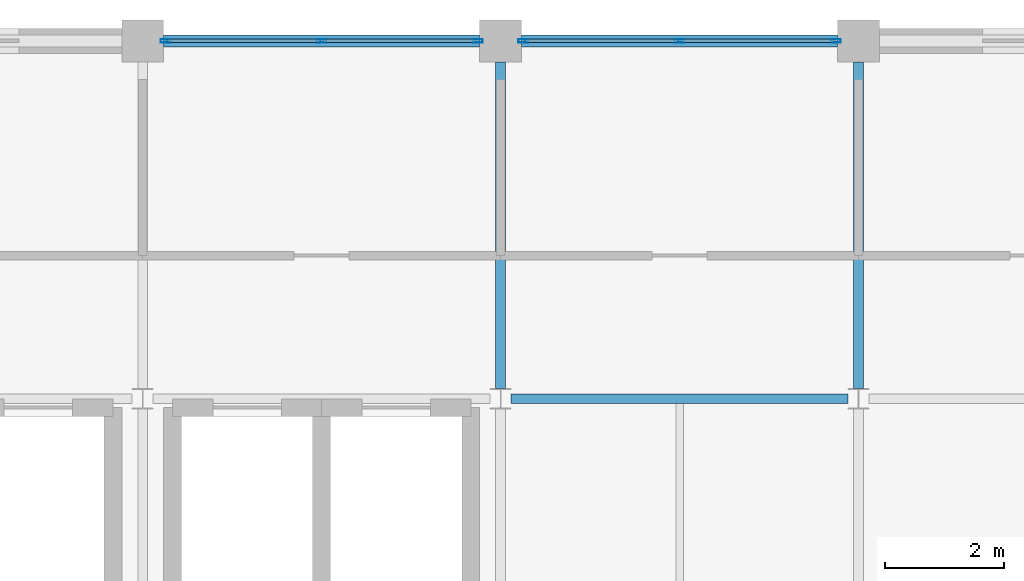
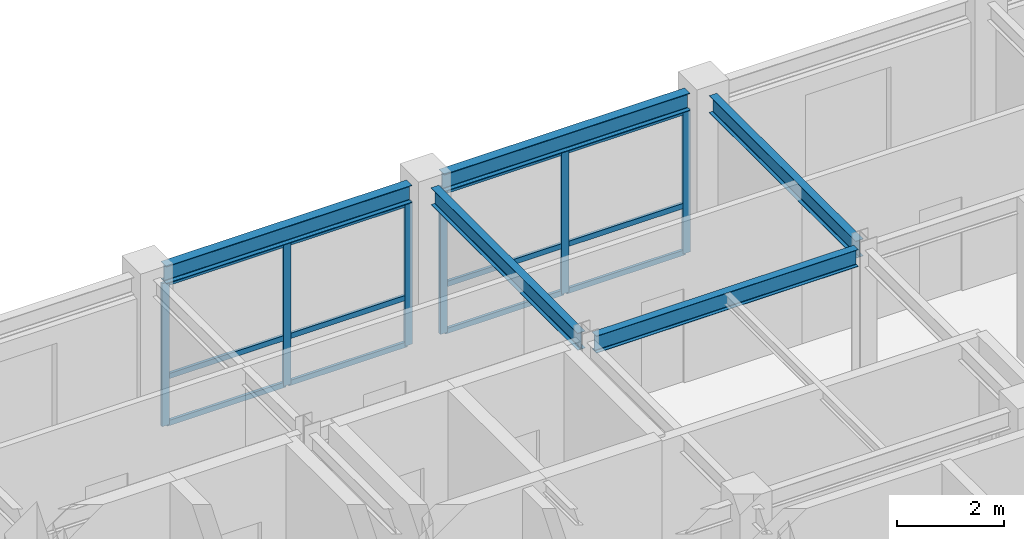
# One storey, part 7 of 13: 18 members, 5 beams, 2 elements without a shape of their own.
"""IFC4 building model written with IfcOpenShell, lengths in metres."""

from ifc_helpers import new_model, si_unit, direction, frame, origin, origin_2d, place, context, subcontext, project, spatial, hollow_rectangle, i_section, extrude, material, layer, layer_set, material_profile, profile_set, type_object, element, aggregate, save


model = new_model("IFC4")

# Units and contexts
model_context = context("Model", 3, precision=1e-05, world=origin(), true_north=direction((0.0, 1.0)))
body_context = subcontext(model_context, "Body", "Model", "MODEL_VIEW")
ifc_project = project(units=[si_unit("LENGTHUNIT", "METRE"), si_unit("AREAUNIT", "SQUARE_METRE"), si_unit("VOLUMEUNIT", "CUBIC_METRE"), si_unit("PLANEANGLEUNIT", "RADIAN"), si_unit("MASSUNIT", "GRAM", prefix="KILO")], contexts=[model_context])

# Site, building, storey
site_placement = place(None, origin())
site = spatial("IfcSite", under=ifc_project, at=site_placement, CompositionType="ELEMENT")
building_placement = place(site_placement, origin())
building = spatial("IfcBuilding", under=site, at=building_placement, Name="Zlatovratsky Civic Hall", CompositionType="ELEMENT")
storey_placement = place(building_placement, frame((0.0, 0.0, 48.300048828125)))
storey = spatial("IfcBuildingStorey", under=building, at=storey_placement, Name="L12", CompositionType="ELEMENT", Elevation=48.300048828125)

# Beams
ifc_material_1 = material(Name="Steel S355", Category="steel")
ifc_material_profile_1 = material_profile(ifc_material_1, i_section(OverallWidth=0.199951171875, OverallDepth=0.39990234375, WebThickness=0.008056640625, FlangeThickness=0.012939453125, FilletRadius=0.014892578125, at=origin_2d()), Name="40B2")
ifc_profile_set_1 = profile_set([ifc_material_profile_1], Name="Steel S355")
beam_type_1 = type_object("IfcBeamType", Name="Beam_Spandrel_40B2", PredefinedType="SPANDREL", material=ifc_profile_set_1)
for number, where, z_axis, x_axis, name in (
    (1, (78.35009765625, 102.0, 3.47998046875), (1.0, 0.0, 0.0), (0.0, 1.0, 0.0), "BM-4837"),
    (2, (84.35009765625, 102.0, 3.47998046875), (1.0, 0.0, 0.0), (0.0, 1.0, 0.0), "BM-4838"),
):
    element("IfcBeam", number, at=place(storey_placement, frame(where, z_axis=z_axis, x_axis=x_axis)), inside=storey, type_object=beam_type_1, Name=name, PredefinedType="SPANDREL", context=body_context, shape_type="SweptSolid", body=[
        extrude(i_section(OverallWidth=0.199951171875, OverallDepth=0.39990234375, WebThickness=0.008056640625, FlangeThickness=0.012939453125, FilletRadius=0.014892578125, at=origin_2d()), origin(), (0.0, 0.0, 1.0), 5.2998046875),
    ])
ifc_material_profile_2 = material_profile(ifc_material_1, i_section(OverallWidth=0.1650390625, OverallDepth=0.39208984375, WebThickness=0.006591796875, FlangeThickness=0.009521484375, FilletRadius=0.014892578125, at=origin_2d()), Name="40B1")
ifc_profile_set_2 = profile_set([ifc_material_profile_2], Name="Steel S355")
beam_type_2 = type_object("IfcBeamType", Name="Beam_Tie_40B1", PredefinedType="BEAM", material=ifc_profile_set_2)
beam_placement = place(storey_placement, frame((84.175048828125, 96.0, 3.48388671875), z_axis=(1.0, 0.0, 0.0), x_axis=(0.0, 1.0, 0.0)))
element("IfcBeam", 3, at=beam_placement, inside=storey, type_object=beam_type_2, Name="BM-4830", PredefinedType="BEAM", context=body_context, shape_type="SweptSolid", body=[
    extrude(i_section(OverallWidth=0.1650390625, OverallDepth=0.39208984375, WebThickness=0.006591796875, FlangeThickness=0.009521484375, FilletRadius=0.014892578125, at=origin_2d()), origin(), (0.0, 0.0, 1.0), 5.64990234375),
])
for number, where, z_axis, x_axis, name in (
    (4, (84.0, 96.17138671875, 3.48388671875), (0.0, 1.0, 0.0), (-1.0, 0.0, 0.0), "BM-4866"),
    (5, (90.0, 96.17138671875, 3.48388671875), (0.0, 1.0, 0.0), (-1.0, 0.0, 0.0), "BM-4871"),
):
    element("IfcBeam", number, at=place(storey_placement, frame(where, z_axis=z_axis, x_axis=x_axis)), inside=storey, type_object=beam_type_2, Name=name, PredefinedType="BEAM", context=body_context, shape_type="SweptSolid", body=[
        extrude(i_section(OverallWidth=0.1650390625, OverallDepth=0.39208984375, WebThickness=0.006591796875, FlangeThickness=0.009521484375, FilletRadius=0.014892578125, at=origin_2d()), origin(), (0.0, 0.0, 1.0), 5.478515625),
    ])

# Curtain wall, members
ifc_material_2 = material(Name="Anodised bronze aluminium", Category="aluminium")
ifc_layer = layer(ifc_material_2, 0.159912109375)
ifc_layer_set = layer_set([ifc_layer], Name="Anodised bronze aluminium")
curtain_wall_type = type_object("IfcCurtainWallType", Name="CurtainWall_Bronze_5300x3260_23", PredefinedType="NOTDEFINED", material=ifc_layer_set)
curtain_wall_1_placement = place(storey_placement, origin())
curtain_wall_1 = element("IfcCurtainWall", 6, at=curtain_wall_1_placement, inside=storey, type_object=curtain_wall_type, Name="CW-159", PredefinedType="NOTDEFINED")
ifc_material_profile_3 = material_profile(ifc_material_2, hollow_rectangle(XDim=0.06005859375, YDim=0.159912109375, WallThickness=0.00390625, at=origin_2d()), Name="ALU 60x160x4")
ifc_profile_set_3 = profile_set([ifc_material_profile_3], Name="Anodised bronze aluminium")
member_type_1 = type_object("IfcMemberType", Name="CW_Mullion_60x160", PredefinedType="MULLION", material=ifc_profile_set_3)
member_1_placement = place(storey_placement, frame((78.3798828125, 102.0, 0.0), z_axis=(0.0, 0.0, 1.0), x_axis=(0.0, 1.0, 0.0)))
member_1 = element("IfcMember", 7, at=member_1_placement, type_object=member_type_1, Name="CW-23 mullion 1", PredefinedType="MULLION", context=body_context, shape_type="SweptSolid", body=[
    extrude(hollow_rectangle(XDim=0.06005859375, YDim=0.159912109375, WallThickness=0.00390625, at=origin_2d()), origin(), (0.0, 0.0, 1.0), 3.260009765625),
])
member_2_placement = place(storey_placement, frame((81.0, 102.0, 0.0), z_axis=(0.0, 0.0, 1.0), x_axis=(0.0, 1.0, 0.0)))
member_2 = element("IfcMember", 8, at=member_2_placement, type_object=member_type_1, Name="CW-23 mullion 2", PredefinedType="MULLION", context=body_context, shape_type="SweptSolid", body=[
    extrude(hollow_rectangle(XDim=0.06005859375, YDim=0.159912109375, WallThickness=0.00390625, at=origin_2d()), origin(), (0.0, 0.0, 1.0), 3.260009765625),
])
member_3_placement = place(storey_placement, frame((83.6201171875, 102.0, 0.0), z_axis=(0.0, 0.0, 1.0), x_axis=(0.0, 1.0, 0.0)))
member_3 = element("IfcMember", 9, at=member_3_placement, type_object=member_type_1, Name="CW-23 mullion 3", PredefinedType="MULLION", context=body_context, shape_type="SweptSolid", body=[
    extrude(hollow_rectangle(XDim=0.06005859375, YDim=0.159912109375, WallThickness=0.00390625, at=origin_2d()), origin(), (0.0, 0.0, 1.0), 3.260009765625),
])

curtain_wall_2_placement = place(storey_placement, origin())
curtain_wall_2 = element("IfcCurtainWall", 10, at=curtain_wall_2_placement, inside=storey, type_object=curtain_wall_type, Name="CW-160", PredefinedType="NOTDEFINED")
member_4_placement = place(storey_placement, frame((84.3798828125, 102.0, 0.0), z_axis=(0.0, 0.0, 1.0), x_axis=(0.0, 1.0, 0.0)))
member_4 = element("IfcMember", 11, at=member_4_placement, type_object=member_type_1, Name="CW-23 mullion 1", PredefinedType="MULLION", context=body_context, shape_type="SweptSolid", body=[
    extrude(hollow_rectangle(XDim=0.06005859375, YDim=0.159912109375, WallThickness=0.00390625, at=origin_2d()), origin(), (0.0, 0.0, 1.0), 3.260009765625),
])
member_5_placement = place(storey_placement, frame((87.0, 102.0, 0.0), z_axis=(0.0, 0.0, 1.0), x_axis=(0.0, 1.0, 0.0)))
member_5 = element("IfcMember", 12, at=member_5_placement, type_object=member_type_1, Name="CW-23 mullion 2", PredefinedType="MULLION", context=body_context, shape_type="SweptSolid", body=[
    extrude(hollow_rectangle(XDim=0.06005859375, YDim=0.159912109375, WallThickness=0.00390625, at=origin_2d()), origin(), (0.0, 0.0, 1.0), 3.260009765625),
])
member_6_placement = place(storey_placement, frame((89.6201171875, 102.0, 0.0), z_axis=(0.0, 0.0, 1.0), x_axis=(0.0, 1.0, 0.0)))
member_6 = element("IfcMember", 13, at=member_6_placement, type_object=member_type_1, Name="CW-23 mullion 3", PredefinedType="MULLION", context=body_context, shape_type="SweptSolid", body=[
    extrude(hollow_rectangle(XDim=0.06005859375, YDim=0.159912109375, WallThickness=0.00390625, at=origin_2d()), origin(), (0.0, 0.0, 1.0), 3.260009765625),
])

# Member
ifc_material_profile_4 = material_profile(ifc_material_2, hollow_rectangle(XDim=0.06005859375, YDim=0.1201171875, WallThickness=0.00390625, at=origin_2d()), Name="ALU 60x120x4")
ifc_profile_set_4 = profile_set([ifc_material_profile_4], Name="Anodised bronze aluminium")
member_type_2 = type_object("IfcMemberType", Name="CW_Transom_60x120", PredefinedType="USERDEFINED", material=ifc_profile_set_4)
member_7_placement = place(storey_placement, frame((78.409912109375, 102.0, 0.030029296875), z_axis=(1.0, 0.0, 0.0), x_axis=(0.0, 1.0, 0.0)))
member_7 = element("IfcMember", 14, at=member_7_placement, type_object=member_type_2, Name="CW-23 transom 1.1", ObjectType="TRANSOM", PredefinedType="USERDEFINED", context=body_context, shape_type="SweptSolid", body=[
    extrude(hollow_rectangle(XDim=0.06005859375, YDim=0.1201171875, WallThickness=0.00390625, at=origin_2d()), origin(), (0.0, 0.0, 1.0), 2.56005859375),
])

member_8_placement = place(storey_placement, frame((78.409912109375, 102.0, 1.099853515625), z_axis=(1.0, 0.0, 0.0), x_axis=(0.0, 1.0, 0.0)))
member_8 = element("IfcMember", 15, at=member_8_placement, type_object=member_type_2, Name="CW-23 transom 1.2", ObjectType="TRANSOM", PredefinedType="USERDEFINED", context=body_context, shape_type="SweptSolid", body=[
    extrude(hollow_rectangle(XDim=0.06005859375, YDim=0.1201171875, WallThickness=0.00390625, at=origin_2d()), origin(), (0.0, 0.0, 1.0), 2.56005859375),
])

member_9_placement = place(storey_placement, frame((78.409912109375, 102.0, 3.22998046875), z_axis=(1.0, 0.0, 0.0), x_axis=(0.0, 1.0, 0.0)))
member_9 = element("IfcMember", 16, at=member_9_placement, type_object=member_type_2, Name="CW-23 transom 1.3", ObjectType="TRANSOM", PredefinedType="USERDEFINED", context=body_context, shape_type="SweptSolid", body=[
    extrude(hollow_rectangle(XDim=0.06005859375, YDim=0.1201171875, WallThickness=0.00390625, at=origin_2d()), origin(), (0.0, 0.0, 1.0), 2.56005859375),
])

member_10_placement = place(storey_placement, frame((81.030029296875, 102.0, 0.030029296875), z_axis=(1.0, 0.0, 0.0), x_axis=(0.0, 1.0, 0.0)))
member_10 = element("IfcMember", 17, at=member_10_placement, type_object=member_type_2, Name="CW-23 transom 2.1", ObjectType="TRANSOM", PredefinedType="USERDEFINED", context=body_context, shape_type="SweptSolid", body=[
    extrude(hollow_rectangle(XDim=0.06005859375, YDim=0.1201171875, WallThickness=0.00390625, at=origin_2d()), origin(), (0.0, 0.0, 1.0), 2.56005859375),
])

member_11_placement = place(storey_placement, frame((81.030029296875, 102.0, 1.099853515625), z_axis=(1.0, 0.0, 0.0), x_axis=(0.0, 1.0, 0.0)))
member_11 = element("IfcMember", 18, at=member_11_placement, type_object=member_type_2, Name="CW-23 transom 2.2", ObjectType="TRANSOM", PredefinedType="USERDEFINED", context=body_context, shape_type="SweptSolid", body=[
    extrude(hollow_rectangle(XDim=0.06005859375, YDim=0.1201171875, WallThickness=0.00390625, at=origin_2d()), origin(), (0.0, 0.0, 1.0), 2.56005859375),
])

member_12_placement = place(storey_placement, frame((81.030029296875, 102.0, 3.22998046875), z_axis=(1.0, 0.0, 0.0), x_axis=(0.0, 1.0, 0.0)))
member_12 = element("IfcMember", 19, at=member_12_placement, type_object=member_type_2, Name="CW-23 transom 2.3", ObjectType="TRANSOM", PredefinedType="USERDEFINED", context=body_context, shape_type="SweptSolid", body=[
    extrude(hollow_rectangle(XDim=0.06005859375, YDim=0.1201171875, WallThickness=0.00390625, at=origin_2d()), origin(), (0.0, 0.0, 1.0), 2.56005859375),
])

aggregate(curtain_wall_1, [member_1, member_2, member_3, member_7, member_8, member_9, member_10, member_11, member_12])

member_13_placement = place(storey_placement, frame((84.409912109375, 102.0, 0.030029296875), z_axis=(1.0, 0.0, 0.0), x_axis=(0.0, 1.0, 0.0)))
member_13 = element("IfcMember", 20, at=member_13_placement, type_object=member_type_2, Name="CW-23 transom 1.1", ObjectType="TRANSOM", PredefinedType="USERDEFINED", context=body_context, shape_type="SweptSolid", body=[
    extrude(hollow_rectangle(XDim=0.06005859375, YDim=0.1201171875, WallThickness=0.00390625, at=origin_2d()), origin(), (0.0, 0.0, 1.0), 2.56005859375),
])

member_14_placement = place(storey_placement, frame((84.409912109375, 102.0, 1.099853515625), z_axis=(1.0, 0.0, 0.0), x_axis=(0.0, 1.0, 0.0)))
member_14 = element("IfcMember", 21, at=member_14_placement, type_object=member_type_2, Name="CW-23 transom 1.2", ObjectType="TRANSOM", PredefinedType="USERDEFINED", context=body_context, shape_type="SweptSolid", body=[
    extrude(hollow_rectangle(XDim=0.06005859375, YDim=0.1201171875, WallThickness=0.00390625, at=origin_2d()), origin(), (0.0, 0.0, 1.0), 2.56005859375),
])

member_15_placement = place(storey_placement, frame((84.409912109375, 102.0, 3.22998046875), z_axis=(1.0, 0.0, 0.0), x_axis=(0.0, 1.0, 0.0)))
member_15 = element("IfcMember", 22, at=member_15_placement, type_object=member_type_2, Name="CW-23 transom 1.3", ObjectType="TRANSOM", PredefinedType="USERDEFINED", context=body_context, shape_type="SweptSolid", body=[
    extrude(hollow_rectangle(XDim=0.06005859375, YDim=0.1201171875, WallThickness=0.00390625, at=origin_2d()), origin(), (0.0, 0.0, 1.0), 2.56005859375),
])

member_16_placement = place(storey_placement, frame((87.030029296875, 102.0, 0.030029296875), z_axis=(1.0, 0.0, 0.0), x_axis=(0.0, 1.0, 0.0)))
member_16 = element("IfcMember", 23, at=member_16_placement, type_object=member_type_2, Name="CW-23 transom 2.1", ObjectType="TRANSOM", PredefinedType="USERDEFINED", context=body_context, shape_type="SweptSolid", body=[
    extrude(hollow_rectangle(XDim=0.06005859375, YDim=0.1201171875, WallThickness=0.00390625, at=origin_2d()), origin(), (0.0, 0.0, 1.0), 2.56005859375),
])

member_17_placement = place(storey_placement, frame((87.030029296875, 102.0, 1.099853515625), z_axis=(1.0, 0.0, 0.0), x_axis=(0.0, 1.0, 0.0)))
member_17 = element("IfcMember", 24, at=member_17_placement, type_object=member_type_2, Name="CW-23 transom 2.2", ObjectType="TRANSOM", PredefinedType="USERDEFINED", context=body_context, shape_type="SweptSolid", body=[
    extrude(hollow_rectangle(XDim=0.06005859375, YDim=0.1201171875, WallThickness=0.00390625, at=origin_2d()), origin(), (0.0, 0.0, 1.0), 2.56005859375),
])

member_18_placement = place(storey_placement, frame((87.030029296875, 102.0, 3.22998046875), z_axis=(1.0, 0.0, 0.0), x_axis=(0.0, 1.0, 0.0)))
member_18 = element("IfcMember", 25, at=member_18_placement, type_object=member_type_2, Name="CW-23 transom 2.3", ObjectType="TRANSOM", PredefinedType="USERDEFINED", context=body_context, shape_type="SweptSolid", body=[
    extrude(hollow_rectangle(XDim=0.06005859375, YDim=0.1201171875, WallThickness=0.00390625, at=origin_2d()), origin(), (0.0, 0.0, 1.0), 2.56005859375),
])

aggregate(curtain_wall_2, [member_4, member_5, member_6, member_13, member_14, member_15, member_16, member_17, member_18])

save(model, "model.ifc")
